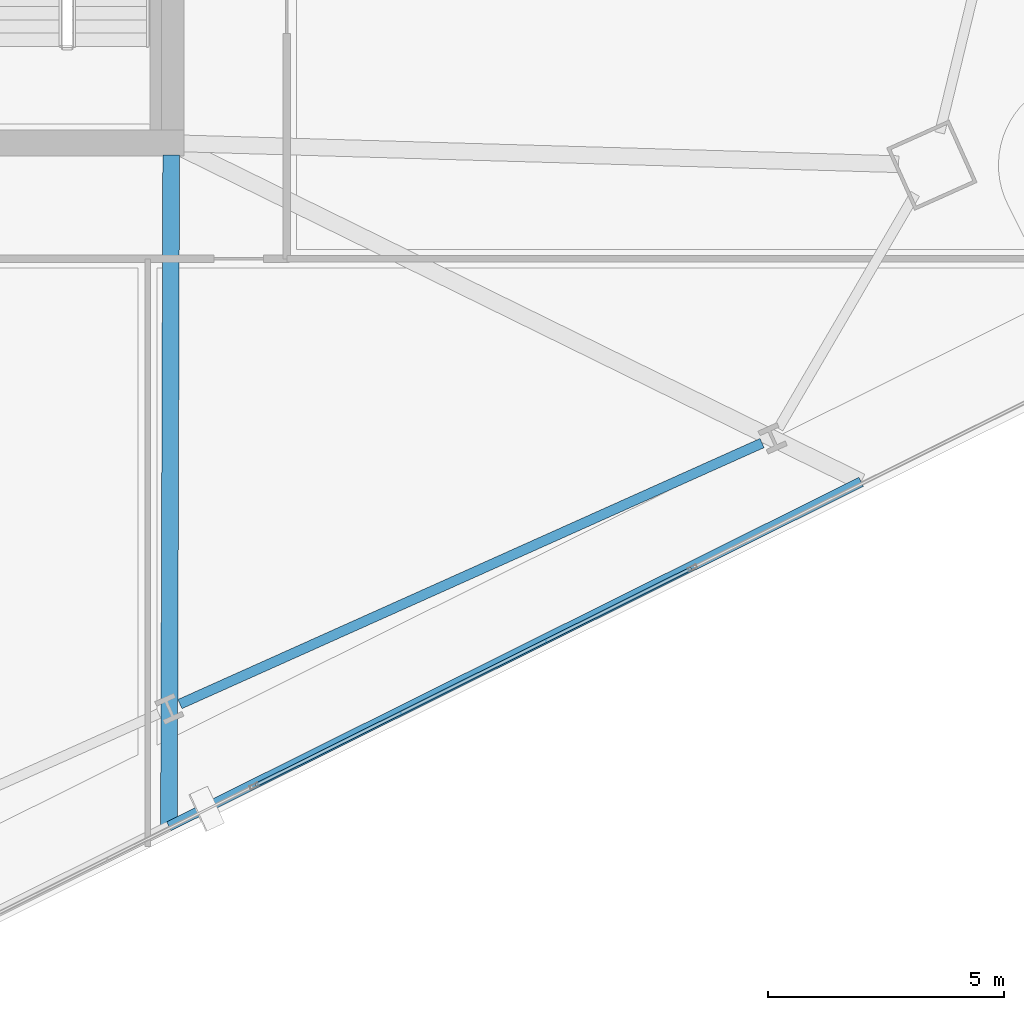
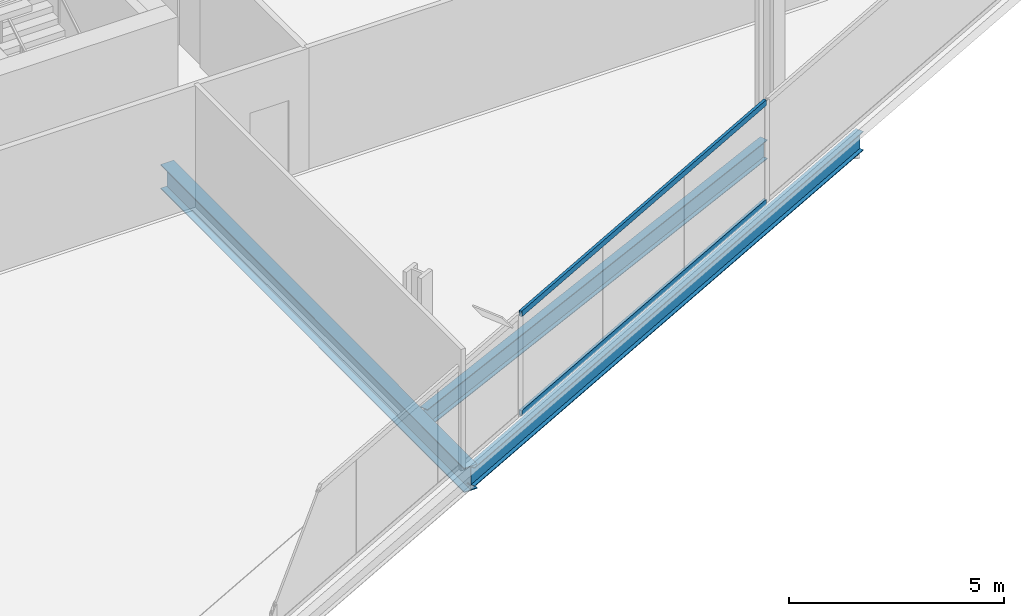
# One storey, part 8 of 35: 3 beams, 2 members, 1 element without a shape of its own.
"""IFC4 building model written with IfcOpenShell, lengths in metres."""

from ifc_helpers import new_model, si_unit, direction, frame, origin, origin_2d, place, context, subcontext, project, spatial, hollow_rectangle, i_section, extrude, material, material_profile, profile_set, type_object, element, aggregate, save


model = new_model("IFC4")

# Units and contexts
model_context = context("Model", 3, precision=1e-05, world=origin(), true_north=direction((0.0, 1.0)))
body_context = subcontext(model_context, "Body", "Model", "MODEL_VIEW")
ifc_project = project(units=[si_unit("LENGTHUNIT", "METRE"), si_unit("AREAUNIT", "SQUARE_METRE"), si_unit("VOLUMEUNIT", "CUBIC_METRE"), si_unit("PLANEANGLEUNIT", "RADIAN"), si_unit("MASSUNIT", "GRAM", prefix="KILO")], contexts=[model_context])

# Site, building, storey
site_placement = place(None, origin())
site = spatial("IfcSite", under=ifc_project, at=site_placement, CompositionType="ELEMENT")
building_placement = place(site_placement, origin())
building = spatial("IfcBuilding", under=site, at=building_placement, Name="Haldenkirk Collegiate Tower", CompositionType="ELEMENT")
storey_placement = place(building_placement, frame((0.0, 0.0, 116.699951171875)))
storey = spatial("IfcBuildingStorey", under=building, at=storey_placement, Name="L28", CompositionType="ELEMENT", Elevation=116.699951171875)

# Beams
ifc_material_1 = material(Name="Steel ASTM A992 Grade 50", Category="steel")
ifc_material_profile_1 = material_profile(ifc_material_1, i_section(OverallWidth=0.35498046875, OverallDepth=0.696044921875, WebThickness=0.015380859375, FlangeThickness=0.02490234375, at=origin_2d()), Name="W27X146")
ifc_profile_set_1 = profile_set([ifc_material_profile_1], Name="Steel ASTM A992 Grade 50")
beam_type_1 = type_object("IfcBeamType", Name="BM-GIRDER-W27X146", PredefinedType="BEAM", material=ifc_profile_set_1)
beam_1_placement = place(storey_placement, frame((44.95166015625, 3.530029296875, -0.64794921875), z_axis=(0.003331883609, 0.99999444926, 0.0), x_axis=(-0.99999444926, 0.003331883609, 0.0)))
element("IfcBeam", 1, at=beam_1_placement, inside=storey, type_object=beam_type_1, Name="L28 primary floor girder 06", PredefinedType="BEAM", context=body_context, shape_type="SweptSolid", body=[
    extrude(i_section(OverallWidth=0.35498046875, OverallDepth=0.696044921875, WebThickness=0.015380859375, FlangeThickness=0.02490234375, at=origin_2d()), origin(), (0.0, 0.0, 1.0), 14.215087890625),
])
ifc_material_profile_2 = material_profile(ifc_material_1, i_section(OverallWidth=0.2119140625, OverallDepth=0.5439453125, WebThickness=0.01318359375, FlangeThickness=0.021240234375, at=origin_2d()), Name="W21X83")
ifc_profile_set_2 = profile_set([ifc_material_profile_2], Name="Steel ASTM A992 Grade 50")
beam_type_2 = type_object("IfcBeamType", Name="BM-SPANDREL-W21X83", PredefinedType="SPANDREL", material=ifc_profile_set_2)
beam_2_placement = place(storey_placement, frame((45.183837890625, 6.1171875, -0.572021484375), z_axis=(0.912476765144, 0.409128528793, 0.0), x_axis=(-0.409128528793, 0.912476765144, 0.0)))
element("IfcBeam", 2, at=beam_2_placement, inside=storey, type_object=beam_type_2, Name="L28 perimeter spandrel beam 03", PredefinedType="SPANDREL", context=body_context, shape_type="SweptSolid", body=[
    extrude(i_section(OverallWidth=0.2119140625, OverallDepth=0.5439453125, WebThickness=0.01318359375, FlangeThickness=0.021240234375, at=origin_2d()), origin(), (0.0, 0.0, 1.0), 13.512939453125),
])
beam_3_placement = place(storey_placement, frame((44.95166015625, 3.530029296875, -0.572021484375), z_axis=(0.895319827553, 0.445423850271, 0.0), x_axis=(-0.445423850271, 0.895319827553, 0.0)))
element("IfcBeam", 3, at=beam_3_placement, inside=storey, type_object=beam_type_2, Name="L28 outer facade edge beam 1B", PredefinedType="SPANDREL", context=body_context, shape_type="SweptSolid", body=[
    extrude(i_section(OverallWidth=0.2119140625, OverallDepth=0.5439453125, WebThickness=0.01318359375, FlangeThickness=0.021240234375, at=origin_2d()), origin(), (0.0, 0.0, 1.0), 16.37744140625),
])

# Curtain wall, members
ifc_material_2 = material(Name="Anodised architectural bronze aluminium", Category="aluminium")
curtain_wall_type = type_object("IfcCurtainWallType", Name="CW-SYS2-CONCAVE", PredefinedType="USERDEFINED", material=ifc_material_2)
curtain_wall_placement = place(storey_placement, origin())
curtain_wall = element("IfcCurtainWall", 4, at=curtain_wall_placement, inside=storey, type_object=curtain_wall_type, Name="L28 South concave recessed bronze-anodised curtain wall", ObjectType="UNITISED CURTAIN WALL", PredefinedType="USERDEFINED")
ifc_material_profile_3 = material_profile(ifc_material_2, hollow_rectangle(XDim=0.074951171875, YDim=0.159912109375, WallThickness=0.0048828125, at=origin_2d()), Name="CW-TRN-02")
ifc_profile_set_3 = profile_set([ifc_material_profile_3], Name="Anodised architectural bronze aluminium")
member_type = type_object("IfcMemberType", Name="CW-TRN-02", PredefinedType="USERDEFINED", material=ifc_profile_set_3)
member_1_placement = place(storey_placement, frame((56.010009765625, 8.98681640625, 0.03759765625), z_axis=(-0.895330809734, -0.445401774964, 0.0), x_axis=(0.445401774964, -0.895330809734, 0.0)))
member_1 = element("IfcMember", 5, at=member_1_placement, type_object=member_type, Name="CW-02 transom 2.1", ObjectType="TRANSOM", PredefinedType="USERDEFINED", context=body_context, shape_type="SweptSolid", body=[
    extrude(hollow_rectangle(XDim=0.074951171875, YDim=0.159912109375, WallThickness=0.0048828125, at=origin_2d()), origin(), (0.0, 0.0, 1.0), 10.300048828125),
])
member_2_placement = place(storey_placement, frame((56.010009765625, 8.98681640625, 2.863525390625), z_axis=(-0.895330809734, -0.445401774964, 0.0), x_axis=(0.445401774964, -0.895330809734, 0.0)))
member_2 = element("IfcMember", 6, at=member_2_placement, type_object=member_type, Name="CW-02 transom 2.2", ObjectType="TRANSOM", PredefinedType="USERDEFINED", context=body_context, shape_type="SweptSolid", body=[
    extrude(hollow_rectangle(XDim=0.074951171875, YDim=0.159912109375, WallThickness=0.0048828125, at=origin_2d()), origin(), (0.0, 0.0, 1.0), 10.300048828125),
])
aggregate(curtain_wall, [member_1, member_2])

save(model, "model.ifc")
